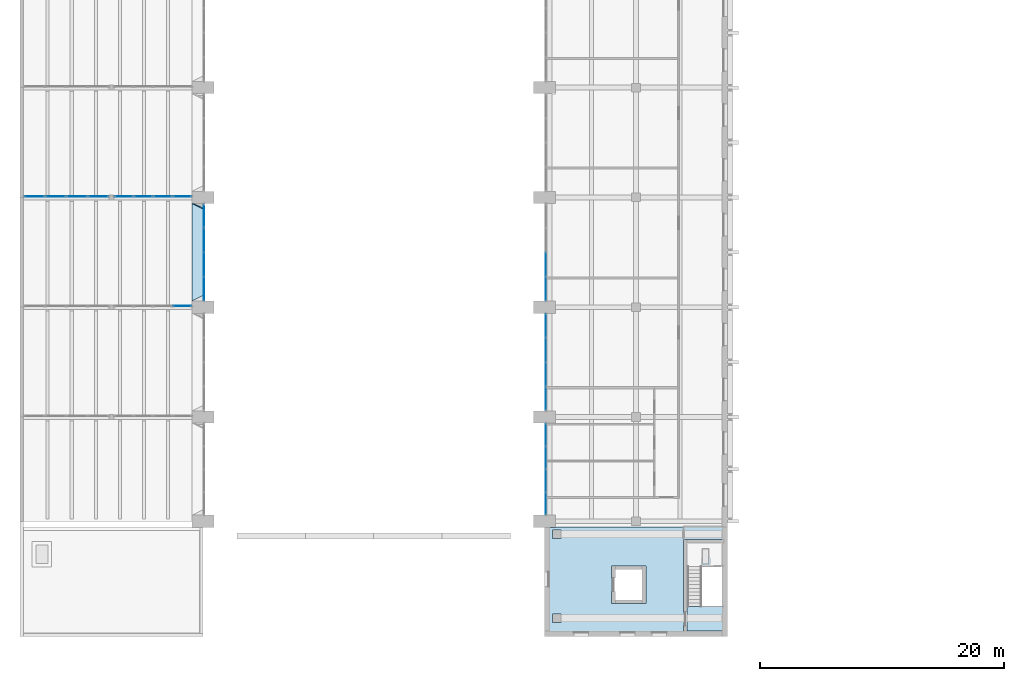
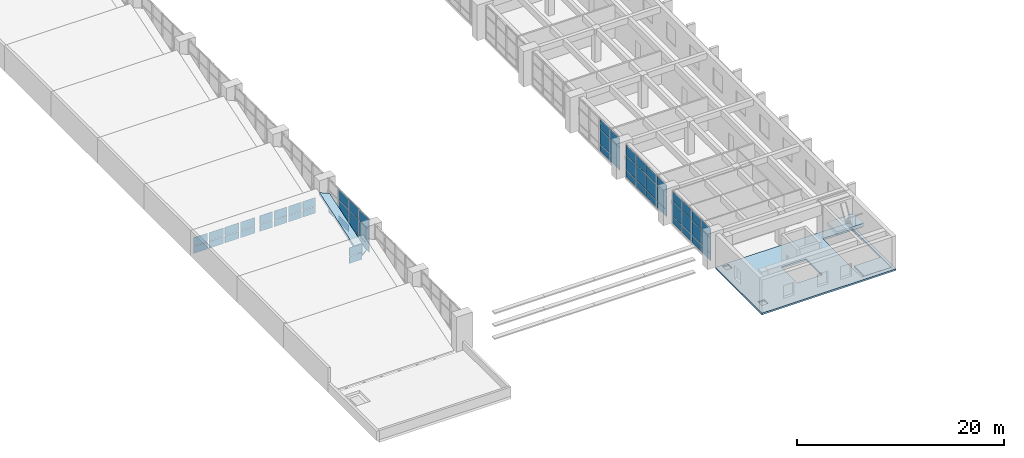
# One storey, part 23 of 43: 58 plates, 4 slabs, 14 elements without a shape of their own.
"""IFC4 building model written with IfcOpenShell, lengths in metres."""

from ifc_helpers import new_model, si_unit, direction, frame, origin, origin_2d, place, context, subcontext, project, spatial, polyline, rectangle, outline, extrude, material, layer, layer_set, type_object, element, aggregate, save


model = new_model("IFC4")

# Units and contexts
model_context = context("Model", 3, precision=1e-05, world=origin(), true_north=direction((0.0, 1.0)))
body_context = subcontext(model_context, "Body", "Model", "MODEL_VIEW")
ifc_project = project(units=[si_unit("LENGTHUNIT", "METRE"), si_unit("AREAUNIT", "SQUARE_METRE"), si_unit("VOLUMEUNIT", "CUBIC_METRE"), si_unit("PLANEANGLEUNIT", "RADIAN"), si_unit("MASSUNIT", "GRAM", prefix="KILO")], contexts=[model_context])

# Site, building, storey
site_placement = place(None, origin())
site = spatial("IfcSite", under=ifc_project, at=site_placement, CompositionType="ELEMENT")
building_placement = place(site_placement, origin())
building = spatial("IfcBuilding", under=site, at=building_placement, Name="Elmora Arch Market Hall", CompositionType="ELEMENT")
storey_placement = place(building_placement, frame((0.0, 0.0, 10.199951171875)))
storey = spatial("IfcBuildingStorey", under=building, at=storey_placement, Name="L02", CompositionType="ELEMENT", Elevation=10.199951171875)

# Slab
ifc_material_1 = material(Name="Concrete C32/40", Category="concrete")
ifc_layer_1 = layer(ifc_material_1, 0.199951171875)
ifc_layer_set_1 = layer_set([ifc_layer_1], Name="Concrete C32/40")
slab_type_1 = type_object("IfcSlabType", Name="Floor slab 200", PredefinedType="FLOOR", material=ifc_layer_set_1)
slab_1_placement = place(storey_placement, frame((0.0, 0.0, -0.199951171875)))
element("IfcSlab", 1, at=slab_1_placement, inside=storey, type_object=slab_type_1, Name="L02 floor slab SE", PredefinedType="FLOOR", context=body_context, shape_type="SweptSolid", body=[
    extrude(outline(polyline([(58.0, 27.0), (58.0, 18.0), (43.0, 18.0), (43.0, 26.948974609375), (43.90087890625, 26.948974609375), (43.90087890625, 27.0), (58.0, 27.0)]), holes=[polyline([(54.39892578125, 25.950927734375), (54.39892578125, 18.448974609375), (57.700927734375, 18.448974609375), (57.700927734375, 25.950927734375), (54.39892578125, 25.950927734375)]), polyline([(51.301025390625, 20.698974609375), (51.301025390625, 23.801025390625), (48.4990234375, 23.801025390625), (48.4990234375, 20.698974609375), (51.301025390625, 20.698974609375)]), polyline([(43.64892578125, 26.7509765625), (43.64892578125, 26.049072265625), (44.35107421875, 26.049072265625), (44.35107421875, 26.7509765625), (43.64892578125, 26.7509765625)]), polyline([(43.64892578125, 19.85107421875), (43.64892578125, 19.14892578125), (44.35107421875, 19.14892578125), (44.35107421875, 19.85107421875), (43.64892578125, 19.85107421875)])]), origin(), (0.0, 0.0, 1.0), 0.199951171875),
])

# Curtain wall, plates
ifc_material_2 = material(Name="Aluminium", Category="aluminium")
curtain_wall_type_1 = type_object("IfcCurtainWallType", Name="Hall front curtain wall", PredefinedType="NOTDEFINED", material=ifc_material_2)
curtain_wall_1_placement = place(storey_placement, origin())
curtain_wall_1 = element("IfcCurtainWall", 2, at=curtain_wall_1_placement, inside=storey, type_object=curtain_wall_type_1, Name="Wing front E L02 1", PredefinedType="NOTDEFINED")
ifc_material_3 = material(Name="Glass", Category="glass")
ifc_layer_2 = layer(ifc_material_3, 0.028076171875)
ifc_layer_set_2 = layer_set([ifc_layer_2], Name="Glass")
plate_type = type_object("IfcPlateType", Name="Glass panel 28", PredefinedType="CURTAIN_PANEL", material=ifc_layer_set_2)
plate_1_placement = place(storey_placement, frame((43.10009765625, 28.913818359375, 0.06005859375), z_axis=(0.0, 0.0, 1.0), x_axis=(0.0, 1.0, 0.0)))
plate_1 = element("IfcPlate", 3, at=plate_1_placement, type_object=plate_type, Name="CW2 panel 1.1", PredefinedType="CURTAIN_PANEL", context=body_context, shape_type="SweptSolid", body=[
    extrude(rectangle(XDim=1.767578125, YDim=0.028076171875, at=origin_2d()), origin(), (0.0, 0.0, 1.0), 0.81005859375),
])
plate_2_placement = place(storey_placement, frame((43.10009765625, 28.913818359375, 0.93017578125), z_axis=(0.0, 0.0, 1.0), x_axis=(0.0, 1.0, 0.0)))
plate_2 = element("IfcPlate", 4, at=plate_2_placement, type_object=plate_type, Name="CW2 panel 1.2", PredefinedType="CURTAIN_PANEL", context=body_context, shape_type="SweptSolid", body=[
    extrude(rectangle(XDim=1.767578125, YDim=0.028076171875, at=origin_2d()), origin(), (0.0, 0.0, 1.0), 1.739990234375),
])
plate_3_placement = place(storey_placement, frame((43.10009765625, 28.913818359375, 2.72998046875), z_axis=(0.0, 0.0, 1.0), x_axis=(0.0, 1.0, 0.0)))
plate_3 = element("IfcPlate", 5, at=plate_3_placement, type_object=plate_type, Name="CW2 panel 1.3", PredefinedType="CURTAIN_PANEL", context=body_context, shape_type="SweptSolid", body=[
    extrude(rectangle(XDim=1.767578125, YDim=0.028076171875, at=origin_2d()), origin(), (0.0, 0.0, 1.0), 1.110107421875),
])
plate_4_placement = place(storey_placement, frame((43.10009765625, 30.78125, 0.06005859375), z_axis=(0.0, 0.0, 1.0), x_axis=(0.0, 1.0, 0.0)))
plate_4 = element("IfcPlate", 6, at=plate_4_placement, type_object=plate_type, Name="CW2 panel 2.1", PredefinedType="CURTAIN_PANEL", context=body_context, shape_type="SweptSolid", body=[
    extrude(rectangle(XDim=1.8076171875, YDim=0.028076171875, at=origin_2d()), origin(), (0.0, 0.0, 1.0), 0.81005859375),
])
plate_5_placement = place(storey_placement, frame((43.10009765625, 30.78125, 0.93017578125), z_axis=(0.0, 0.0, 1.0), x_axis=(0.0, 1.0, 0.0)))
plate_5 = element("IfcPlate", 7, at=plate_5_placement, type_object=plate_type, Name="CW2 panel 2.2", PredefinedType="CURTAIN_PANEL", context=body_context, shape_type="SweptSolid", body=[
    extrude(rectangle(XDim=1.8076171875, YDim=0.028076171875, at=origin_2d()), origin(), (0.0, 0.0, 1.0), 1.739990234375),
])
plate_6_placement = place(storey_placement, frame((43.10009765625, 30.78125, 2.72998046875), z_axis=(0.0, 0.0, 1.0), x_axis=(0.0, 1.0, 0.0)))
plate_6 = element("IfcPlate", 8, at=plate_6_placement, type_object=plate_type, Name="CW2 panel 2.3", PredefinedType="CURTAIN_PANEL", context=body_context, shape_type="SweptSolid", body=[
    extrude(rectangle(XDim=1.8076171875, YDim=0.028076171875, at=origin_2d()), origin(), (0.0, 0.0, 1.0), 1.110107421875),
])
plate_7_placement = place(storey_placement, frame((43.10009765625, 32.668701171875, 0.06005859375), z_axis=(0.0, 0.0, 1.0), x_axis=(0.0, 1.0, 0.0)))
plate_7 = element("IfcPlate", 9, at=plate_7_placement, type_object=plate_type, Name="CW2 panel 3.1", PredefinedType="CURTAIN_PANEL", context=body_context, shape_type="SweptSolid", body=[
    extrude(rectangle(XDim=1.8076171875, YDim=0.028076171875, at=origin_2d()), origin(), (0.0, 0.0, 1.0), 0.81005859375),
])
plate_8_placement = place(storey_placement, frame((43.10009765625, 32.668701171875, 0.93017578125), z_axis=(0.0, 0.0, 1.0), x_axis=(0.0, 1.0, 0.0)))
plate_8 = element("IfcPlate", 10, at=plate_8_placement, type_object=plate_type, Name="CW2 panel 3.2", PredefinedType="CURTAIN_PANEL", context=body_context, shape_type="SweptSolid", body=[
    extrude(rectangle(XDim=1.8076171875, YDim=0.028076171875, at=origin_2d()), origin(), (0.0, 0.0, 1.0), 1.739990234375),
])
plate_9_placement = place(storey_placement, frame((43.10009765625, 32.668701171875, 2.72998046875), z_axis=(0.0, 0.0, 1.0), x_axis=(0.0, 1.0, 0.0)))
plate_9 = element("IfcPlate", 11, at=plate_9_placement, type_object=plate_type, Name="CW2 panel 3.3", PredefinedType="CURTAIN_PANEL", context=body_context, shape_type="SweptSolid", body=[
    extrude(rectangle(XDim=1.8076171875, YDim=0.028076171875, at=origin_2d()), origin(), (0.0, 0.0, 1.0), 1.110107421875),
])
plate_10_placement = place(storey_placement, frame((43.10009765625, 34.5361328125, 0.06005859375), z_axis=(0.0, 0.0, 1.0), x_axis=(0.0, 1.0, 0.0)))
plate_10 = element("IfcPlate", 12, at=plate_10_placement, type_object=plate_type, Name="CW2 panel 4.1", PredefinedType="CURTAIN_PANEL", context=body_context, shape_type="SweptSolid", body=[
    extrude(rectangle(XDim=1.767578125, YDim=0.028076171875, at=origin_2d()), origin(), (0.0, 0.0, 1.0), 0.81005859375),
])
plate_11_placement = place(storey_placement, frame((43.10009765625, 34.5361328125, 0.93017578125), z_axis=(0.0, 0.0, 1.0), x_axis=(0.0, 1.0, 0.0)))
plate_11 = element("IfcPlate", 13, at=plate_11_placement, type_object=plate_type, Name="CW2 panel 4.2", PredefinedType="CURTAIN_PANEL", context=body_context, shape_type="SweptSolid", body=[
    extrude(rectangle(XDim=1.767578125, YDim=0.028076171875, at=origin_2d()), origin(), (0.0, 0.0, 1.0), 1.739990234375),
])
plate_12_placement = place(storey_placement, frame((43.10009765625, 34.5361328125, 2.72998046875), z_axis=(0.0, 0.0, 1.0), x_axis=(0.0, 1.0, 0.0)))
plate_12 = element("IfcPlate", 14, at=plate_12_placement, type_object=plate_type, Name="CW2 panel 4.3", PredefinedType="CURTAIN_PANEL", context=body_context, shape_type="SweptSolid", body=[
    extrude(rectangle(XDim=1.767578125, YDim=0.028076171875, at=origin_2d()), origin(), (0.0, 0.0, 1.0), 1.110107421875),
])
aggregate(curtain_wall_1, [plate_1, plate_2, plate_3, plate_4, plate_5, plate_6, plate_7, plate_8, plate_9, plate_10, plate_11, plate_12])

curtain_wall_2_placement = place(storey_placement, origin())
curtain_wall_2 = element("IfcCurtainWall", 15, at=curtain_wall_2_placement, inside=storey, type_object=curtain_wall_type_1, Name="Wing front E L02 2", PredefinedType="NOTDEFINED")
plate_13_placement = place(storey_placement, frame((43.10009765625, 37.52001953125, 0.06005859375), z_axis=(0.0, 0.0, 1.0), x_axis=(0.0, 1.0, 0.0)))
plate_13 = element("IfcPlate", 16, at=plate_13_placement, type_object=plate_type, Name="CW2 panel 1.1", PredefinedType="CURTAIN_PANEL", context=body_context, shape_type="SweptSolid", body=[
    extrude(rectangle(XDim=1.8798828125, YDim=0.028076171875, at=origin_2d()), origin(), (0.0, 0.0, 1.0), 0.81005859375),
])
plate_14_placement = place(storey_placement, frame((43.10009765625, 37.52001953125, 0.93017578125), z_axis=(0.0, 0.0, 1.0), x_axis=(0.0, 1.0, 0.0)))
plate_14 = element("IfcPlate", 17, at=plate_14_placement, type_object=plate_type, Name="CW2 panel 1.2", PredefinedType="CURTAIN_PANEL", context=body_context, shape_type="SweptSolid", body=[
    extrude(rectangle(XDim=1.8798828125, YDim=0.028076171875, at=origin_2d()), origin(), (0.0, 0.0, 1.0), 1.739990234375),
])
plate_15_placement = place(storey_placement, frame((43.10009765625, 37.52001953125, 2.72998046875), z_axis=(0.0, 0.0, 1.0), x_axis=(0.0, 1.0, 0.0)))
plate_15 = element("IfcPlate", 18, at=plate_15_placement, type_object=plate_type, Name="CW2 panel 1.3", PredefinedType="CURTAIN_PANEL", context=body_context, shape_type="SweptSolid", body=[
    extrude(rectangle(XDim=1.8798828125, YDim=0.028076171875, at=origin_2d()), origin(), (0.0, 0.0, 1.0), 1.110107421875),
])
plate_16_placement = place(storey_placement, frame((43.10009765625, 39.5, 0.06005859375), z_axis=(0.0, 0.0, 1.0), x_axis=(0.0, 1.0, 0.0)))
plate_16 = element("IfcPlate", 19, at=plate_16_placement, type_object=plate_type, Name="CW2 panel 2.1", PredefinedType="CURTAIN_PANEL", context=body_context, shape_type="SweptSolid", body=[
    extrude(rectangle(XDim=1.919921875, YDim=0.028076171875, at=origin_2d()), origin(), (0.0, 0.0, 1.0), 0.81005859375),
])
plate_17_placement = place(storey_placement, frame((43.10009765625, 39.5, 0.93017578125), z_axis=(0.0, 0.0, 1.0), x_axis=(0.0, 1.0, 0.0)))
plate_17 = element("IfcPlate", 20, at=plate_17_placement, type_object=plate_type, Name="CW2 panel 2.2", PredefinedType="CURTAIN_PANEL", context=body_context, shape_type="SweptSolid", body=[
    extrude(rectangle(XDim=1.919921875, YDim=0.028076171875, at=origin_2d()), origin(), (0.0, 0.0, 1.0), 1.739990234375),
])
plate_18_placement = place(storey_placement, frame((43.10009765625, 39.5, 2.72998046875), z_axis=(0.0, 0.0, 1.0), x_axis=(0.0, 1.0, 0.0)))
plate_18 = element("IfcPlate", 21, at=plate_18_placement, type_object=plate_type, Name="CW2 panel 2.3", PredefinedType="CURTAIN_PANEL", context=body_context, shape_type="SweptSolid", body=[
    extrude(rectangle(XDim=1.919921875, YDim=0.028076171875, at=origin_2d()), origin(), (0.0, 0.0, 1.0), 1.110107421875),
])
plate_19_placement = place(storey_placement, frame((43.10009765625, 41.5, 0.06005859375), z_axis=(0.0, 0.0, 1.0), x_axis=(0.0, 1.0, 0.0)))
plate_19 = element("IfcPlate", 22, at=plate_19_placement, type_object=plate_type, Name="CW2 panel 3.1", PredefinedType="CURTAIN_PANEL", context=body_context, shape_type="SweptSolid", body=[
    extrude(rectangle(XDim=1.919921875, YDim=0.028076171875, at=origin_2d()), origin(), (0.0, 0.0, 1.0), 0.81005859375),
])
plate_20_placement = place(storey_placement, frame((43.10009765625, 41.5, 0.93017578125), z_axis=(0.0, 0.0, 1.0), x_axis=(0.0, 1.0, 0.0)))
plate_20 = element("IfcPlate", 23, at=plate_20_placement, type_object=plate_type, Name="CW2 panel 3.2", PredefinedType="CURTAIN_PANEL", context=body_context, shape_type="SweptSolid", body=[
    extrude(rectangle(XDim=1.919921875, YDim=0.028076171875, at=origin_2d()), origin(), (0.0, 0.0, 1.0), 1.739990234375),
])
plate_21_placement = place(storey_placement, frame((43.10009765625, 41.5, 2.72998046875), z_axis=(0.0, 0.0, 1.0), x_axis=(0.0, 1.0, 0.0)))
plate_21 = element("IfcPlate", 24, at=plate_21_placement, type_object=plate_type, Name="CW2 panel 3.3", PredefinedType="CURTAIN_PANEL", context=body_context, shape_type="SweptSolid", body=[
    extrude(rectangle(XDim=1.919921875, YDim=0.028076171875, at=origin_2d()), origin(), (0.0, 0.0, 1.0), 1.110107421875),
])
plate_22_placement = place(storey_placement, frame((43.10009765625, 43.47998046875, 0.06005859375), z_axis=(0.0, 0.0, 1.0), x_axis=(0.0, 1.0, 0.0)))
plate_22 = element("IfcPlate", 25, at=plate_22_placement, type_object=plate_type, Name="CW2 panel 4.1", PredefinedType="CURTAIN_PANEL", context=body_context, shape_type="SweptSolid", body=[
    extrude(rectangle(XDim=1.8798828125, YDim=0.028076171875, at=origin_2d()), origin(), (0.0, 0.0, 1.0), 0.81005859375),
])
plate_23_placement = place(storey_placement, frame((43.10009765625, 43.47998046875, 0.93017578125), z_axis=(0.0, 0.0, 1.0), x_axis=(0.0, 1.0, 0.0)))
plate_23 = element("IfcPlate", 26, at=plate_23_placement, type_object=plate_type, Name="CW2 panel 4.2", PredefinedType="CURTAIN_PANEL", context=body_context, shape_type="SweptSolid", body=[
    extrude(rectangle(XDim=1.8798828125, YDim=0.028076171875, at=origin_2d()), origin(), (0.0, 0.0, 1.0), 1.739990234375),
])
plate_24_placement = place(storey_placement, frame((43.10009765625, 43.47998046875, 2.72998046875), z_axis=(0.0, 0.0, 1.0), x_axis=(0.0, 1.0, 0.0)))
plate_24 = element("IfcPlate", 27, at=plate_24_placement, type_object=plate_type, Name="CW2 panel 4.3", PredefinedType="CURTAIN_PANEL", context=body_context, shape_type="SweptSolid", body=[
    extrude(rectangle(XDim=1.8798828125, YDim=0.028076171875, at=origin_2d()), origin(), (0.0, 0.0, 1.0), 1.110107421875),
])
aggregate(curtain_wall_2, [plate_13, plate_14, plate_15, plate_16, plate_17, plate_18, plate_19, plate_20, plate_21, plate_22, plate_23, plate_24])

curtain_wall_3_placement = place(storey_placement, origin())
curtain_wall_3 = element("IfcCurtainWall", 28, at=curtain_wall_3_placement, inside=storey, type_object=curtain_wall_type_1, Name="Wing front E L02 3", PredefinedType="NOTDEFINED")
plate_25_placement = place(storey_placement, frame((43.10009765625, 46.52001953125, 0.06005859375), z_axis=(0.0, 0.0, 1.0), x_axis=(0.0, 1.0, 0.0)))
plate_25 = element("IfcPlate", 29, at=plate_25_placement, type_object=plate_type, Name="CW2 panel 1.1", PredefinedType="CURTAIN_PANEL", context=body_context, shape_type="SweptSolid", body=[
    extrude(rectangle(XDim=1.8798828125, YDim=0.028076171875, at=origin_2d()), origin(), (0.0, 0.0, 1.0), 0.81005859375),
])
plate_26_placement = place(storey_placement, frame((43.10009765625, 46.52001953125, 0.93017578125), z_axis=(0.0, 0.0, 1.0), x_axis=(0.0, 1.0, 0.0)))
plate_26 = element("IfcPlate", 30, at=plate_26_placement, type_object=plate_type, Name="CW2 panel 1.2", PredefinedType="CURTAIN_PANEL", context=body_context, shape_type="SweptSolid", body=[
    extrude(rectangle(XDim=1.8798828125, YDim=0.028076171875, at=origin_2d()), origin(), (0.0, 0.0, 1.0), 1.739990234375),
])
plate_27_placement = place(storey_placement, frame((43.10009765625, 46.52001953125, 2.72998046875), z_axis=(0.0, 0.0, 1.0), x_axis=(0.0, 1.0, 0.0)))
plate_27 = element("IfcPlate", 31, at=plate_27_placement, type_object=plate_type, Name="CW2 panel 1.3", PredefinedType="CURTAIN_PANEL", context=body_context, shape_type="SweptSolid", body=[
    extrude(rectangle(XDim=1.8798828125, YDim=0.028076171875, at=origin_2d()), origin(), (0.0, 0.0, 1.0), 1.110107421875),
])
plate_28_placement = place(storey_placement, frame((43.10009765625, 48.5, 0.06005859375), z_axis=(0.0, 0.0, 1.0), x_axis=(0.0, 1.0, 0.0)))
plate_28 = element("IfcPlate", 32, at=plate_28_placement, type_object=plate_type, Name="CW2 panel 2.1", PredefinedType="CURTAIN_PANEL", context=body_context, shape_type="SweptSolid", body=[
    extrude(rectangle(XDim=1.919921875, YDim=0.028076171875, at=origin_2d()), origin(), (0.0, 0.0, 1.0), 0.81005859375),
])
plate_29_placement = place(storey_placement, frame((43.10009765625, 48.5, 0.93017578125), z_axis=(0.0, 0.0, 1.0), x_axis=(0.0, 1.0, 0.0)))
plate_29 = element("IfcPlate", 33, at=plate_29_placement, type_object=plate_type, Name="CW2 panel 2.2", PredefinedType="CURTAIN_PANEL", context=body_context, shape_type="SweptSolid", body=[
    extrude(rectangle(XDim=1.919921875, YDim=0.028076171875, at=origin_2d()), origin(), (0.0, 0.0, 1.0), 1.739990234375),
])
plate_30_placement = place(storey_placement, frame((43.10009765625, 48.5, 2.72998046875), z_axis=(0.0, 0.0, 1.0), x_axis=(0.0, 1.0, 0.0)))
plate_30 = element("IfcPlate", 34, at=plate_30_placement, type_object=plate_type, Name="CW2 panel 2.3", PredefinedType="CURTAIN_PANEL", context=body_context, shape_type="SweptSolid", body=[
    extrude(rectangle(XDim=1.919921875, YDim=0.028076171875, at=origin_2d()), origin(), (0.0, 0.0, 1.0), 1.110107421875),
])
aggregate(curtain_wall_3, [plate_25, plate_26, plate_27, plate_28, plate_29, plate_30])

curtain_wall_4_placement = place(storey_placement, origin())
curtain_wall_4 = element("IfcCurtainWall", 35, at=curtain_wall_4_placement, inside=storey, type_object=curtain_wall_type_1, Name="Hall west glazing L02 3", PredefinedType="NOTDEFINED")
plate_31_placement = place(storey_placement, frame((15.090087890625, 46.52001953125, 0.226806640625), z_axis=(0.0, 0.0, 1.0), x_axis=(0.0, 1.0, 0.0)))
plate_31 = element("IfcPlate", 36, at=plate_31_placement, type_object=plate_type, Name="CW2 panel 1.1", PredefinedType="CURTAIN_PANEL", context=body_context, shape_type="SweptSolid", body=[
    extrude(rectangle(XDim=1.8798828125, YDim=0.028076171875, at=origin_2d()), origin(), (0.0, 0.0, 1.0), 0.81005859375),
])
plate_32_placement = place(storey_placement, frame((15.090087890625, 46.52001953125, 1.0966796875), z_axis=(0.0, 0.0, 1.0), x_axis=(0.0, 1.0, 0.0)))
plate_32 = element("IfcPlate", 37, at=plate_32_placement, type_object=plate_type, Name="CW2 panel 1.2", PredefinedType="CURTAIN_PANEL", context=body_context, shape_type="SweptSolid", body=[
    extrude(rectangle(XDim=1.8798828125, YDim=0.028076171875, at=origin_2d()), origin(), (0.0, 0.0, 1.0), 1.739990234375),
])
plate_33_placement = place(storey_placement, frame((15.090087890625, 46.52001953125, 2.896484375), z_axis=(0.0, 0.0, 1.0), x_axis=(0.0, 1.0, 0.0)))
plate_33 = element("IfcPlate", 38, at=plate_33_placement, type_object=plate_type, Name="CW2 panel 1.3", PredefinedType="CURTAIN_PANEL", context=body_context, shape_type="SweptSolid", body=[
    extrude(rectangle(XDim=1.8798828125, YDim=0.028076171875, at=origin_2d()), origin(), (0.0, 0.0, 1.0), 1.243408203125),
])
plate_34_placement = place(storey_placement, frame((15.090087890625, 48.5, 0.226806640625), z_axis=(0.0, 0.0, 1.0), x_axis=(0.0, 1.0, 0.0)))
plate_34 = element("IfcPlate", 39, at=plate_34_placement, type_object=plate_type, Name="CW2 panel 2.1", PredefinedType="CURTAIN_PANEL", context=body_context, shape_type="SweptSolid", body=[
    extrude(rectangle(XDim=1.919921875, YDim=0.028076171875, at=origin_2d()), origin(), (0.0, 0.0, 1.0), 0.81005859375),
])
plate_35_placement = place(storey_placement, frame((15.090087890625, 48.5, 1.0966796875), z_axis=(0.0, 0.0, 1.0), x_axis=(0.0, 1.0, 0.0)))
plate_35 = element("IfcPlate", 40, at=plate_35_placement, type_object=plate_type, Name="CW2 panel 2.2", PredefinedType="CURTAIN_PANEL", context=body_context, shape_type="SweptSolid", body=[
    extrude(rectangle(XDim=1.919921875, YDim=0.028076171875, at=origin_2d()), origin(), (0.0, 0.0, 1.0), 1.739990234375),
])
plate_36_placement = place(storey_placement, frame((15.090087890625, 48.5, 2.896484375), z_axis=(0.0, 0.0, 1.0), x_axis=(0.0, 1.0, 0.0)))
plate_36 = element("IfcPlate", 41, at=plate_36_placement, type_object=plate_type, Name="CW2 panel 2.3", PredefinedType="CURTAIN_PANEL", context=body_context, shape_type="SweptSolid", body=[
    extrude(rectangle(XDim=1.919921875, YDim=0.028076171875, at=origin_2d()), origin(), (0.0, 0.0, 1.0), 1.243408203125),
])
plate_37_placement = place(storey_placement, frame((15.090087890625, 50.5, 0.226806640625), z_axis=(0.0, 0.0, 1.0), x_axis=(0.0, 1.0, 0.0)))
plate_37 = element("IfcPlate", 42, at=plate_37_placement, type_object=plate_type, Name="CW2 panel 3.1", PredefinedType="CURTAIN_PANEL", context=body_context, shape_type="SweptSolid", body=[
    extrude(rectangle(XDim=1.919921875, YDim=0.028076171875, at=origin_2d()), origin(), (0.0, 0.0, 1.0), 0.81005859375),
])
plate_38_placement = place(storey_placement, frame((15.090087890625, 50.5, 1.0966796875), z_axis=(0.0, 0.0, 1.0), x_axis=(0.0, 1.0, 0.0)))
plate_38 = element("IfcPlate", 43, at=plate_38_placement, type_object=plate_type, Name="CW2 panel 3.2", PredefinedType="CURTAIN_PANEL", context=body_context, shape_type="SweptSolid", body=[
    extrude(rectangle(XDim=1.919921875, YDim=0.028076171875, at=origin_2d()), origin(), (0.0, 0.0, 1.0), 1.739990234375),
])
plate_39_placement = place(storey_placement, frame((15.090087890625, 50.5, 2.896484375), z_axis=(0.0, 0.0, 1.0), x_axis=(0.0, 1.0, 0.0)))
plate_39 = element("IfcPlate", 44, at=plate_39_placement, type_object=plate_type, Name="CW2 panel 3.3", PredefinedType="CURTAIN_PANEL", context=body_context, shape_type="SweptSolid", body=[
    extrude(rectangle(XDim=1.919921875, YDim=0.028076171875, at=origin_2d()), origin(), (0.0, 0.0, 1.0), 1.243408203125),
])
plate_40_placement = place(storey_placement, frame((15.090087890625, 52.47998046875, 0.226806640625), z_axis=(0.0, 0.0, 1.0), x_axis=(0.0, 1.0, 0.0)))
plate_40 = element("IfcPlate", 45, at=plate_40_placement, type_object=plate_type, Name="CW2 panel 4.1", PredefinedType="CURTAIN_PANEL", context=body_context, shape_type="SweptSolid", body=[
    extrude(rectangle(XDim=1.8798828125, YDim=0.028076171875, at=origin_2d()), origin(), (0.0, 0.0, 1.0), 0.81005859375),
])
aggregate(curtain_wall_4, [plate_31, plate_32, plate_33, plate_34, plate_35, plate_36, plate_37, plate_38, plate_39, plate_40])

ifc_material_4 = material(Name="Aluminium", Category="aluminium")
curtain_wall_type_2 = type_object("IfcCurtainWallType", Name="Sawtooth glazing curtain wall", PredefinedType="NOTDEFINED", material=ifc_material_4)
curtain_wall_5_placement = place(storey_placement, origin())
curtain_wall_5 = element("IfcCurtainWall", 46, at=curtain_wall_5_placement, inside=storey, type_object=curtain_wall_type_2, Name="Sawtooth riser 2 part 2.4", PredefinedType="NOTDEFINED")
plate_41_placement = place(storey_placement, frame((13.300048828125, 45.090087890625, 0.090087890625), z_axis=(0.0, 0.0, 1.0), x_axis=(1.0, 0.0, 0.0)))
plate_41 = element("IfcPlate", 47, at=plate_41_placement, type_object=plate_type, Name="CW7 panel 1.1", PredefinedType="CURTAIN_PANEL", context=body_context, shape_type="SweptSolid", body=[
    extrude(rectangle(XDim=1.43994140625, YDim=0.028076171875, at=origin_2d()), origin(), (0.0, 0.0, 1.0), 0.81005859375),
])
plate_42_placement = place(storey_placement, frame((13.300048828125, 45.090087890625, 0.9599609375), z_axis=(0.0, 0.0, 1.0), x_axis=(1.0, 0.0, 0.0)))
plate_42 = element("IfcPlate", 48, at=plate_42_placement, type_object=plate_type, Name="CW7 panel 1.2", PredefinedType="CURTAIN_PANEL", context=body_context, shape_type="SweptSolid", body=[
    extrude(rectangle(XDim=1.43994140625, YDim=0.028076171875, at=origin_2d()), origin(), (0.0, 0.0, 1.0), 0.97998046875),
])
aggregate(curtain_wall_5, [plate_41, plate_42])

curtain_wall_6_placement = place(storey_placement, origin())
curtain_wall_6 = element("IfcCurtainWall", 49, at=curtain_wall_6_placement, inside=storey, type_object=curtain_wall_type_2, Name="Sawtooth riser 3 part 1.1", PredefinedType="NOTDEFINED")
plate_43_placement = place(storey_placement, frame((1.175048828125, 54.090087890625, 0.090087890625), z_axis=(0.0, 0.0, 1.0), x_axis=(1.0, 0.0, 0.0)))
plate_43 = element("IfcPlate", 50, at=plate_43_placement, type_object=plate_type, Name="CW7 panel 1.1", PredefinedType="CURTAIN_PANEL", context=body_context, shape_type="SweptSolid", body=[
    extrude(rectangle(XDim=1.590087890625, YDim=0.028076171875, at=origin_2d()), origin(), (0.0, 0.0, 1.0), 0.81005859375),
])
plate_44_placement = place(storey_placement, frame((1.175048828125, 54.090087890625, 0.9599609375), z_axis=(0.0, 0.0, 1.0), x_axis=(1.0, 0.0, 0.0)))
plate_44 = element("IfcPlate", 51, at=plate_44_placement, type_object=plate_type, Name="CW7 panel 1.2", PredefinedType="CURTAIN_PANEL", context=body_context, shape_type="SweptSolid", body=[
    extrude(rectangle(XDim=1.590087890625, YDim=0.028076171875, at=origin_2d()), origin(), (0.0, 0.0, 1.0), 0.97998046875),
])
aggregate(curtain_wall_6, [plate_43, plate_44])

curtain_wall_7_placement = place(storey_placement, origin())
curtain_wall_7 = element("IfcCurtainWall", 52, at=curtain_wall_7_placement, inside=storey, type_object=curtain_wall_type_2, Name="Sawtooth riser 3 part 1.2", PredefinedType="NOTDEFINED")
plate_45_placement = place(storey_placement, frame((2.925048828125, 54.090087890625, 0.090087890625), z_axis=(0.0, 0.0, 1.0), x_axis=(1.0, 0.0, 0.0)))
plate_45 = element("IfcPlate", 53, at=plate_45_placement, type_object=plate_type, Name="CW7 panel 1.1", PredefinedType="CURTAIN_PANEL", context=body_context, shape_type="SweptSolid", body=[
    extrude(rectangle(XDim=1.590087890625, YDim=0.028076171875, at=origin_2d()), origin(), (0.0, 0.0, 1.0), 0.81005859375),
])
plate_46_placement = place(storey_placement, frame((2.925048828125, 54.090087890625, 0.9599609375), z_axis=(0.0, 0.0, 1.0), x_axis=(1.0, 0.0, 0.0)))
plate_46 = element("IfcPlate", 54, at=plate_46_placement, type_object=plate_type, Name="CW7 panel 1.2", PredefinedType="CURTAIN_PANEL", context=body_context, shape_type="SweptSolid", body=[
    extrude(rectangle(XDim=1.590087890625, YDim=0.028076171875, at=origin_2d()), origin(), (0.0, 0.0, 1.0), 0.97998046875),
])
aggregate(curtain_wall_7, [plate_45, plate_46])

curtain_wall_8_placement = place(storey_placement, origin())
curtain_wall_8 = element("IfcCurtainWall", 55, at=curtain_wall_8_placement, inside=storey, type_object=curtain_wall_type_2, Name="Sawtooth riser 3 part 1.3", PredefinedType="NOTDEFINED")
plate_47_placement = place(storey_placement, frame((4.675048828125, 54.090087890625, 0.090087890625), z_axis=(0.0, 0.0, 1.0), x_axis=(1.0, 0.0, 0.0)))
plate_47 = element("IfcPlate", 56, at=plate_47_placement, type_object=plate_type, Name="CW7 panel 1.1", PredefinedType="CURTAIN_PANEL", context=body_context, shape_type="SweptSolid", body=[
    extrude(rectangle(XDim=1.590087890625, YDim=0.028076171875, at=origin_2d()), origin(), (0.0, 0.0, 1.0), 0.81005859375),
])
plate_48_placement = place(storey_placement, frame((4.675048828125, 54.090087890625, 0.9599609375), z_axis=(0.0, 0.0, 1.0), x_axis=(1.0, 0.0, 0.0)))
plate_48 = element("IfcPlate", 57, at=plate_48_placement, type_object=plate_type, Name="CW7 panel 1.2", PredefinedType="CURTAIN_PANEL", context=body_context, shape_type="SweptSolid", body=[
    extrude(rectangle(XDim=1.590087890625, YDim=0.028076171875, at=origin_2d()), origin(), (0.0, 0.0, 1.0), 0.97998046875),
])
aggregate(curtain_wall_8, [plate_47, plate_48])

curtain_wall_9_placement = place(storey_placement, origin())
curtain_wall_9 = element("IfcCurtainWall", 58, at=curtain_wall_9_placement, inside=storey, type_object=curtain_wall_type_2, Name="Sawtooth riser 3 part 1.4", PredefinedType="NOTDEFINED")
plate_49_placement = place(storey_placement, frame((6.425048828125, 54.090087890625, 0.090087890625), z_axis=(0.0, 0.0, 1.0), x_axis=(1.0, 0.0, 0.0)))
plate_49 = element("IfcPlate", 59, at=plate_49_placement, type_object=plate_type, Name="CW7 panel 1.1", PredefinedType="CURTAIN_PANEL", context=body_context, shape_type="SweptSolid", body=[
    extrude(rectangle(XDim=1.590087890625, YDim=0.028076171875, at=origin_2d()), origin(), (0.0, 0.0, 1.0), 0.81005859375),
])
plate_50_placement = place(storey_placement, frame((6.425048828125, 54.090087890625, 0.9599609375), z_axis=(0.0, 0.0, 1.0), x_axis=(1.0, 0.0, 0.0)))
plate_50 = element("IfcPlate", 60, at=plate_50_placement, type_object=plate_type, Name="CW7 panel 1.2", PredefinedType="CURTAIN_PANEL", context=body_context, shape_type="SweptSolid", body=[
    extrude(rectangle(XDim=1.590087890625, YDim=0.028076171875, at=origin_2d()), origin(), (0.0, 0.0, 1.0), 0.97998046875),
])
aggregate(curtain_wall_9, [plate_49, plate_50])

curtain_wall_10_placement = place(storey_placement, origin())
curtain_wall_10 = element("IfcCurtainWall", 61, at=curtain_wall_10_placement, inside=storey, type_object=curtain_wall_type_2, Name="Sawtooth riser 3 part 2.1", PredefinedType="NOTDEFINED")
plate_51_placement = place(storey_placement, frame((8.5, 54.090087890625, 0.090087890625), z_axis=(0.0, 0.0, 1.0), x_axis=(1.0, 0.0, 0.0)))
plate_51 = element("IfcPlate", 62, at=plate_51_placement, type_object=plate_type, Name="CW7 panel 1.1", PredefinedType="CURTAIN_PANEL", context=body_context, shape_type="SweptSolid", body=[
    extrude(rectangle(XDim=1.43994140625, YDim=0.028076171875, at=origin_2d()), origin(), (0.0, 0.0, 1.0), 0.81005859375),
])
plate_52_placement = place(storey_placement, frame((8.5, 54.090087890625, 0.9599609375), z_axis=(0.0, 0.0, 1.0), x_axis=(1.0, 0.0, 0.0)))
plate_52 = element("IfcPlate", 63, at=plate_52_placement, type_object=plate_type, Name="CW7 panel 1.2", PredefinedType="CURTAIN_PANEL", context=body_context, shape_type="SweptSolid", body=[
    extrude(rectangle(XDim=1.43994140625, YDim=0.028076171875, at=origin_2d()), origin(), (0.0, 0.0, 1.0), 0.97998046875),
])
aggregate(curtain_wall_10, [plate_51, plate_52])

curtain_wall_11_placement = place(storey_placement, origin())
curtain_wall_11 = element("IfcCurtainWall", 64, at=curtain_wall_11_placement, inside=storey, type_object=curtain_wall_type_2, Name="Sawtooth riser 3 part 2.2", PredefinedType="NOTDEFINED")
plate_53_placement = place(storey_placement, frame((10.10009765625, 54.090087890625, 0.090087890625), z_axis=(0.0, 0.0, 1.0), x_axis=(1.0, 0.0, 0.0)))
plate_53 = element("IfcPlate", 65, at=plate_53_placement, type_object=plate_type, Name="CW7 panel 1.1", PredefinedType="CURTAIN_PANEL", context=body_context, shape_type="SweptSolid", body=[
    extrude(rectangle(XDim=1.43994140625, YDim=0.028076171875, at=origin_2d()), origin(), (0.0, 0.0, 1.0), 0.81005859375),
])
plate_54_placement = place(storey_placement, frame((10.10009765625, 54.090087890625, 0.9599609375), z_axis=(0.0, 0.0, 1.0), x_axis=(1.0, 0.0, 0.0)))
plate_54 = element("IfcPlate", 66, at=plate_54_placement, type_object=plate_type, Name="CW7 panel 1.2", PredefinedType="CURTAIN_PANEL", context=body_context, shape_type="SweptSolid", body=[
    extrude(rectangle(XDim=1.43994140625, YDim=0.028076171875, at=origin_2d()), origin(), (0.0, 0.0, 1.0), 0.97998046875),
])
aggregate(curtain_wall_11, [plate_53, plate_54])

curtain_wall_12_placement = place(storey_placement, origin())
curtain_wall_12 = element("IfcCurtainWall", 67, at=curtain_wall_12_placement, inside=storey, type_object=curtain_wall_type_2, Name="Sawtooth riser 3 part 2.3", PredefinedType="NOTDEFINED")
plate_55_placement = place(storey_placement, frame((11.699951171875, 54.090087890625, 0.090087890625), z_axis=(0.0, 0.0, 1.0), x_axis=(1.0, 0.0, 0.0)))
plate_55 = element("IfcPlate", 68, at=plate_55_placement, type_object=plate_type, Name="CW7 panel 1.1", PredefinedType="CURTAIN_PANEL", context=body_context, shape_type="SweptSolid", body=[
    extrude(rectangle(XDim=1.43994140625, YDim=0.028076171875, at=origin_2d()), origin(), (0.0, 0.0, 1.0), 0.81005859375),
])
plate_56_placement = place(storey_placement, frame((11.699951171875, 54.090087890625, 0.9599609375), z_axis=(0.0, 0.0, 1.0), x_axis=(1.0, 0.0, 0.0)))
plate_56 = element("IfcPlate", 69, at=plate_56_placement, type_object=plate_type, Name="CW7 panel 1.2", PredefinedType="CURTAIN_PANEL", context=body_context, shape_type="SweptSolid", body=[
    extrude(rectangle(XDim=1.43994140625, YDim=0.028076171875, at=origin_2d()), origin(), (0.0, 0.0, 1.0), 0.97998046875),
])
aggregate(curtain_wall_12, [plate_55, plate_56])

curtain_wall_13_placement = place(storey_placement, origin())
curtain_wall_13 = element("IfcCurtainWall", 70, at=curtain_wall_13_placement, inside=storey, type_object=curtain_wall_type_2, Name="Sawtooth riser 3 part 2.4", PredefinedType="NOTDEFINED")
plate_57_placement = place(storey_placement, frame((13.300048828125, 54.090087890625, 0.090087890625), z_axis=(0.0, 0.0, 1.0), x_axis=(1.0, 0.0, 0.0)))
plate_57 = element("IfcPlate", 71, at=plate_57_placement, type_object=plate_type, Name="CW7 panel 1.1", PredefinedType="CURTAIN_PANEL", context=body_context, shape_type="SweptSolid", body=[
    extrude(rectangle(XDim=1.43994140625, YDim=0.028076171875, at=origin_2d()), origin(), (0.0, 0.0, 1.0), 0.81005859375),
])
plate_58_placement = place(storey_placement, frame((13.300048828125, 54.090087890625, 0.9599609375), z_axis=(0.0, 0.0, 1.0), x_axis=(1.0, 0.0, 0.0)))
plate_58 = element("IfcPlate", 72, at=plate_58_placement, type_object=plate_type, Name="CW7 panel 1.2", PredefinedType="CURTAIN_PANEL", context=body_context, shape_type="SweptSolid", body=[
    extrude(rectangle(XDim=1.43994140625, YDim=0.028076171875, at=origin_2d()), origin(), (0.0, 0.0, 1.0), 0.97998046875),
])
aggregate(curtain_wall_13, [plate_57, plate_58])

# Slabs
ifc_material_5 = material(Name="Concrete C32/40", Category="concrete")
ifc_layer_3 = layer(ifc_material_5, 0.419921875)
ifc_layer_set_3 = layer_set([ifc_layer_3], Name="Concrete C32/40")
slab_type_2 = type_object("IfcSlabType", Name="Roof access platform 420", PredefinedType="FLOOR", material=ifc_layer_set_3)
slab_2_placement = place(storey_placement, frame((0.0, 0.0, 1.580078125)))
element("IfcSlab", 73, at=slab_2_placement, inside=storey, type_object=slab_type_2, Name="Roof access platform ST-ES", PredefinedType="FLOOR", context=body_context, shape_type="SweptSolid", body=[
    extrude(outline(polyline([(54.699951171875, 23.75), (57.699951171875, 23.75), (57.699951171875, 25.64990234375), (54.699951171875, 25.64990234375), (54.699951171875, 23.75)])), origin(), (0.0, 0.0, 1.0), 0.419921875),
])
ifc_material_6 = material(Name="Concrete C32/40", Category="concrete")
ifc_layer_4 = layer(ifc_material_6, 0.300048828125)
ifc_layer_set_4 = layer_set([ifc_layer_4], Name="Concrete C32/40")
slab_type_3 = type_object("IfcSlabType", Name="Roof slab 300", PredefinedType="ROOF", material=ifc_layer_set_4)
slab_3_placement = place(storey_placement, frame((14.10009765625, 45.5, 0.166748046875), z_axis=(0.0, -0.316218562901, 0.948686365706), x_axis=(0.884662171457, 0.442308516046, 0.147431404475)))
element("IfcSlab", 74, at=slab_3_placement, inside=storey, type_object=slab_type_3, Name="Sawtooth roof slab 3E", PredefinedType="ROOF", context=body_context, shape_type="SweptSolid", body=[
    extrude(outline(polyline([(0.0, 0.0), (1.0172271097198213, 1.3877787807814457e-17), (4.50658655762858, 6.620953296794749), (3.9315945443055718, 7.460080925563873), (0.0, 0.0)])), origin(), (0.0, 0.0, -1.0), 0.300048828125),
])

# Stair, slab
ifc_material_7 = material(Name="Concrete C40/50", Category="concrete")
stair_type = type_object("IfcStairType", Name="Exit stair 1200", PredefinedType="TWO_STRAIGHT_RUN_STAIR", material=ifc_material_7)
stair_placement = place(storey_placement, origin())
stair = element("IfcStair", 75, at=stair_placement, inside=storey, type_object=stair_type, Name="Stair ST-ES L02", PredefinedType="TWO_STRAIGHT_RUN_STAIR")
ifc_material_8 = material(Name="Concrete C32/40", Category="concrete")
ifc_layer_5 = layer(ifc_material_8, 0.199951171875)
ifc_layer_set_5 = layer_set([ifc_layer_5], Name="Concrete C32/40")
slab_type_4 = type_object("IfcSlabType", Name="Stair landing 200", PredefinedType="LANDING", material=ifc_layer_set_5)
slab_4_placement = place(storey_placement, frame((0.0, 0.0, -0.199951171875)))
slab_4 = element("IfcSlab", 76, at=slab_4_placement, type_object=slab_type_4, Name="Stair ST-ES L02 landing 1", PredefinedType="LANDING", context=body_context, shape_type="SweptSolid", body=[
    extrude(outline(polyline([(54.699951171875, 18.449951171875), (57.699951171875, 18.449951171875), (57.699951171875, 20.449951171875), (54.699951171875, 20.449951171875), (54.699951171875, 18.449951171875)])), origin(), (0.0, 0.0, 1.0), 0.199951171875),
])
aggregate(stair, [slab_4])

save(model, "model.ifc")
